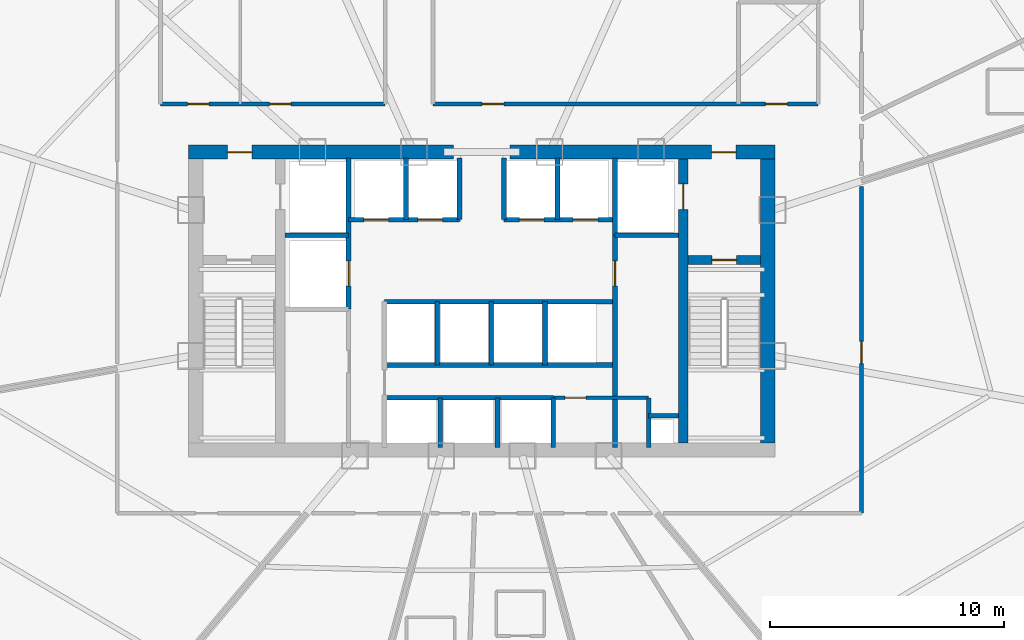
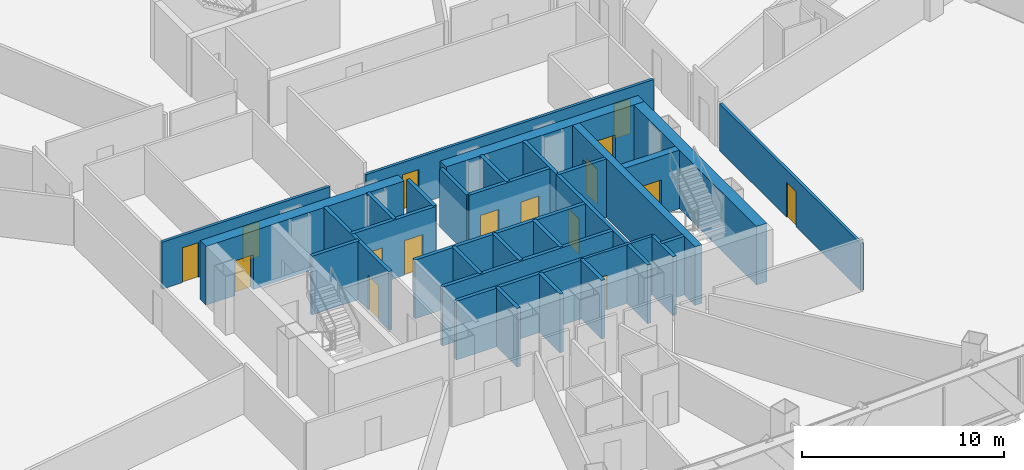
# One storey, part 31 of 38: 31 walls, 16 doors, 16 openings.
"""IFC4 building model written with IfcOpenShell, lengths in metres."""

from ifc_helpers import new_model, si_unit, direction, frame, frame_2d, origin, origin_with_axes, place, context, subcontext, project, spatial, rectangle, extrude, source, transform, mapped, material, layer, layer_set, type_object, element, fill, save


model = new_model("IFC4")

# Units and contexts
model_context = context("Model", 3, precision=1e-05, world=origin(), true_north=direction((0.0, 1.0)))
body_context = subcontext(model_context, "Body", "Model", "MODEL_VIEW")
ifc_project = project(units=[si_unit("LENGTHUNIT", "METRE"), si_unit("AREAUNIT", "SQUARE_METRE"), si_unit("VOLUMEUNIT", "CUBIC_METRE"), si_unit("PLANEANGLEUNIT", "RADIAN"), si_unit("MASSUNIT", "GRAM", prefix="KILO"), si_unit("THERMODYNAMICTEMPERATUREUNIT", "KELVIN"), si_unit("POWERUNIT", "WATT")], contexts=[model_context])

# Site, building, storey
site_placement = place(None, origin())
site = spatial("IfcSite", under=ifc_project, at=site_placement, CompositionType="ELEMENT")
building_placement = place(site_placement, origin())
building = spatial("IfcBuilding", under=site, at=building_placement, Name="Yunzhuo Pagoda Commons", CompositionType="ELEMENT")
storey_placement = place(building_placement, frame((0.0, 0.0, 81.179931640625)))
storey = spatial("IfcBuildingStorey", under=building, at=storey_placement, Name="L20", CompositionType="ELEMENT", Elevation=81.179931640625)

# Wall, opening, door
ifc_material_1 = material(Name="Concrete C60", Category="concrete")
ifc_layer_1 = layer(ifc_material_1, 0.60009765625)
ifc_layer_set_1 = layer_set([ifc_layer_1], Name="Concrete C60")
wall_type_1 = type_object("IfcWallType", Name="W-C02 Mid Core Shear Wall 600", PredefinedType="SHEAR", material=ifc_layer_set_1)
wall_1_placement = place(storey_placement, frame((35.5, 40.199951171875, 0.0), z_axis=(0.0, 0.0, 1.0), x_axis=(1.0, 0.0, 0.0)))
wall_1 = element("IfcWall", 1, at=wall_1_placement, inside=storey, type_object=wall_type_1, Name="L20 core shear wall NW", PredefinedType="SHEAR", context=body_context, shape_type="SweptSolid", body=[
    extrude(rectangle(XDim=11.300048828125, YDim=0.60009765625, at=frame_2d((5.64990234375, 0.0))), origin(), (0.0, 0.0, 1.0), 3.5400390625),
])
opening_1_placement = place(wall_1_placement, frame((1.64990234375, 0.0, 0.0)))
opening_1 = element("IfcOpeningElement", 2, at=opening_1_placement, cuts=wall_1, Name="Opening D-02", PredefinedType="OPENING", context=body_context, shape_type="SweptSolid", body=[
    extrude(rectangle(XDim=1.050048828125, YDim=2.10009765625, at=frame_2d((0.52490234375, 1.050048828125))), frame((0.0, 0.31005859375, 0.0), z_axis=(0.0, -1.0, 0.0), x_axis=(1.0, 0.0, 0.0)), (0.0, 0.0, 1.0), 0.6201171875),
])
ifc_material_2 = material(Name="Galvanized fire-resisting metal leaf")
door_type_1 = type_object("IfcDoorType", Name="D-02 Firefighting Lobby & Refuge Fire Door 1050x2100", OperationType="NOTDEFINED", PredefinedType="DOOR", material=ifc_material_2)
shared_shape_1 = source(origin(), body_context, "Body", "SweptSolid", [
    extrude(rectangle(XDim=1.050048828125, YDim=2.10009765625, at=frame_2d((0.52490234375, 1.050048828125))), frame((0.0, 0.02490234375, 0.0), z_axis=(0.0, -1.0, 0.0), x_axis=(1.0, 0.0, 0.0)), (0.0, 0.0, 1.0), 0.050048828125),
])
door_1_placement = place(opening_1_placement, frame((1.050048828125, 0.0, 0.0), z_axis=(0.0, 0.0, 1.0), x_axis=(-1.0, 0.0, 0.0)))
door_1 = element("IfcDoor", 3, at=door_1_placement, inside=storey, type_object=door_type_1, Name="L20 Firefighting Lobby 1 fire door", OperationType="SINGLE_SWING_LEFT", OverallHeight=2.10009765625, OverallWidth=1.050048828125, PredefinedType="DOOR", context=body_context, shape_type="MappedRepresentation", body=[
    mapped(shared_shape_1, transform((0.0, 0.0, 0.0), scale=1.0)),
])
fill(opening_1, door_1)

wall_2_placement = place(storey_placement, frame((49.199951171875, 40.199951171875, 0.0), z_axis=(0.0, 0.0, 1.0), x_axis=(1.0, 0.0, 0.0)))
wall_2 = element("IfcWall", 4, at=wall_2_placement, inside=storey, type_object=wall_type_1, Name="L20 core shear wall NE", PredefinedType="SHEAR", context=body_context, shape_type="SweptSolid", body=[
    extrude(rectangle(XDim=11.300048828125, YDim=0.60009765625, at=frame_2d((5.64990234375, 0.0))), origin(), (0.0, 0.0, 1.0), 3.5400390625),
])
opening_2_placement = place(wall_2_placement, frame((8.60009765625, 0.0, 0.0)))
opening_2 = element("IfcOpeningElement", 5, at=opening_2_placement, cuts=wall_2, Name="Opening D-02", PredefinedType="OPENING", context=body_context, shape_type="SweptSolid", body=[
    extrude(rectangle(XDim=1.050048828125, YDim=2.10009765625, at=frame_2d((0.52490234375, 1.050048828125))), frame((0.0, 0.31005859375, 0.0), z_axis=(0.0, -1.0, 0.0), x_axis=(1.0, 0.0, 0.0)), (0.0, 0.0, 1.0), 0.6201171875),
])
door_2_placement = place(opening_2_placement, frame((1.050048828125, 0.0, 0.0), z_axis=(0.0, 0.0, 1.0), x_axis=(-1.0, 0.0, 0.0)))
door_2 = element("IfcDoor", 6, at=door_2_placement, inside=storey, type_object=door_type_1, Name="L20 Firefighting Lobby 2 fire door", OperationType="SINGLE_SWING_RIGHT", OverallHeight=2.10009765625, OverallWidth=1.050048828125, PredefinedType="DOOR", context=body_context, shape_type="MappedRepresentation", body=[
    mapped(shared_shape_1, transform((0.0, 0.0, 0.0), scale=1.0)),
])
fill(opening_2, door_2)

# Wall
wall_3_placement = place(storey_placement, frame((60.199951171875, 27.800048828125, 0.0), z_axis=(0.0, 0.0, 1.0), x_axis=(0.0, 1.0, 0.0)))
element("IfcWall", 7, at=wall_3_placement, inside=storey, type_object=wall_type_1, Name="L20 core shear wall E", PredefinedType="SHEAR", context=body_context, shape_type="SweptSolid", body=[
    extrude(rectangle(XDim=12.099853515625, YDim=0.60009765625, at=frame_2d((6.0498046875, 0.0))), origin(), (0.0, 0.0, 1.0), 3.5400390625),
])

# Wall, opening, door
ifc_material_3 = material(Name="Gypsum plasterboard on acoustic stud")
ifc_layer_2 = layer(ifc_material_3, 0.159912109375)
ifc_layer_set_2 = layer_set([ifc_layer_2], Name="Gypsum plasterboard on acoustic stud")
wall_type_2 = type_object("IfcWallType", Name="W-COR1 Tower Rated Corridor Wall 160", PredefinedType="PARTITIONING", material=ifc_layer_set_2)
wall_4_placement = place(storey_placement, frame((51.050048828125, 29.719970703125, 0.0), z_axis=(0.0, 0.0, 1.0), x_axis=(1.0, 0.0, 0.0)))
wall_4 = element("IfcWall", 8, at=wall_4_placement, inside=storey, type_object=wall_type_2, Name="L20 interior wall IW-L20-CSES", PredefinedType="PARTITIONING", context=body_context, shape_type="SweptSolid", body=[
    extrude(rectangle(XDim=4.070068359375, YDim=0.159912109375, at=frame_2d((2.03515625, 0.0))), origin(), (0.0, 0.0, 1.0), 3.5400390625),
])
opening_3_placement = place(wall_4_placement, frame((0.5, 0.0, 0.0)))
opening_3 = element("IfcOpeningElement", 9, at=opening_3_placement, cuts=wall_4, Name="Opening D-03", PredefinedType="OPENING", context=body_context, shape_type="SweptSolid", body=[
    extrude(rectangle(XDim=0.89990234375, YDim=2.10009765625, at=frame_2d((0.449951171875, 1.050048828125))), frame((0.0, 0.08984375, 0.0), z_axis=(0.0, -1.0, 0.0), x_axis=(1.0, 0.0, 0.0)), (0.0, 0.0, 1.0), 0.179931640625),
])
door_type_2 = type_object("IfcDoorType", Name="D-03 Core Service Fire Door 900x2100", OperationType="NOTDEFINED", PredefinedType="DOOR", material=ifc_material_2)
shared_shape_2 = source(origin(), body_context, "Body", "SweptSolid", [
    extrude(rectangle(XDim=0.89990234375, YDim=2.10009765625, at=frame_2d((0.449951171875, 1.050048828125))), frame((0.0, 0.02490234375, 0.0), z_axis=(0.0, -1.0, 0.0), x_axis=(1.0, 0.0, 0.0)), (0.0, 0.0, 1.0), 0.050048828125),
])
door_3_placement = place(opening_3_placement, origin_with_axes())
door_3 = element("IfcDoor", 10, at=door_3_placement, inside=storey, type_object=door_type_2, Name="L20 cleaner store door", OperationType="SINGLE_SWING_LEFT", OverallHeight=2.10009765625, OverallWidth=0.89990234375, PredefinedType="DOOR", context=body_context, shape_type="MappedRepresentation", body=[
    mapped(shared_shape_2, transform((0.0, 0.0, 0.0), scale=1.0)),
])
fill(opening_3, door_3)

# Wall, openings, doors
wall_5_placement = place(storey_placement, frame((34.300048828125, 42.25, 0.0), z_axis=(0.0, 0.0, 1.0), x_axis=(1.0, 0.0, 0.0)))
wall_5 = element("IfcWall", 11, at=wall_5_placement, inside=storey, type_object=wall_type_2, Name="L20 interior wall IW-L20-ISLWS", PredefinedType="PARTITIONING", context=body_context, shape_type="SweptSolid", body=[
    extrude(rectangle(XDim=9.579833984375, YDim=0.159912109375, at=frame_2d((4.7900390625, 0.0))), origin(), (0.0, 0.0, 1.0), 2.840087890625),
])
opening_4_placement = place(wall_5_placement, frame((1.14990234375, 0.0, 0.0)))
opening_4 = element("IfcOpeningElement", 12, at=opening_4_placement, cuts=wall_5, Name="Opening D-04", PredefinedType="OPENING", context=body_context, shape_type="SweptSolid", body=[
    extrude(rectangle(XDim=0.919921875, YDim=2.10009765625, at=frame_2d((0.4599609375, 1.050048828125))), frame((0.0, 0.08984375, 0.0), z_axis=(0.0, -1.0, 0.0), x_axis=(1.0, 0.0, 0.0)), (0.0, 0.0, 1.0), 0.179931640625),
])
opening_5_placement = place(wall_5_placement, frame((4.64990234375, 0.0, 0.0)))
opening_5 = element("IfcOpeningElement", 13, at=opening_5_placement, cuts=wall_5, Name="Opening D-04", PredefinedType="OPENING", context=body_context, shape_type="SweptSolid", body=[
    extrude(rectangle(XDim=0.919921875, YDim=2.10009765625, at=frame_2d((0.4599609375, 1.050048828125))), frame((0.0, 0.08984375, 0.0), z_axis=(0.0, -1.0, 0.0), x_axis=(1.0, 0.0, 0.0)), (0.0, 0.0, 1.0), 0.179931640625),
])
ifc_material_4 = material(Name="Powder-coated aluminium and timber acoustic leaf", Category="wood")
door_type_3 = type_object("IfcDoorType", Name="D-04 Bedroom & Study Interior Door 920x2100", OperationType="NOTDEFINED", PredefinedType="DOOR", material=ifc_material_4)
shared_shape_3 = source(origin(), body_context, "Body", "SweptSolid", [
    extrude(rectangle(XDim=0.919921875, YDim=2.10009765625, at=frame_2d((0.4599609375, 1.050048828125))), frame((0.0, 0.02490234375, 0.0), z_axis=(0.0, -1.0, 0.0), x_axis=(1.0, 0.0, 0.0)), (0.0, 0.0, 1.0), 0.050048828125),
])
door_4_placement = place(opening_4_placement, frame((0.919921875, 0.0, 0.0), z_axis=(0.0, 0.0, 1.0), x_axis=(-1.0, 0.0, 0.0)))
door_4 = element("IfcDoor", 14, at=door_4_placement, inside=storey, type_object=door_type_3, Name="L20 laundry door", OperationType="SINGLE_SWING_LEFT", OverallHeight=2.10009765625, OverallWidth=0.919921875, PredefinedType="DOOR", context=body_context, shape_type="MappedRepresentation", body=[
    mapped(shared_shape_3, transform((0.0, 0.0, 0.0), scale=1.0)),
])
fill(opening_4, door_4)
door_5_placement = place(opening_5_placement, frame((0.919921875, 0.0, 0.0), z_axis=(0.0, 0.0, 1.0), x_axis=(-1.0, 0.0, 0.0)))
door_5 = element("IfcDoor", 15, at=door_5_placement, inside=storey, type_object=door_type_3, Name="L20 study commons W door", OperationType="SINGLE_SWING_RIGHT", OverallHeight=2.10009765625, OverallWidth=0.919921875, PredefinedType="DOOR", context=body_context, shape_type="MappedRepresentation", body=[
    mapped(shared_shape_3, transform((0.0, 0.0, 0.0), scale=1.0)),
])
fill(opening_5, door_5)

wall_6_placement = place(storey_placement, frame((45.919921875, 42.25, 0.0), z_axis=(0.0, 0.0, 1.0), x_axis=(1.0, 0.0, 0.0)))
wall_6 = element("IfcWall", 16, at=wall_6_placement, inside=storey, type_object=wall_type_2, Name="L20 interior wall IW-L20-ISLES", PredefinedType="PARTITIONING", context=body_context, shape_type="SweptSolid", body=[
    extrude(rectangle(XDim=16.43017578125, YDim=0.159912109375, at=frame_2d((8.215087890625, 0.0))), origin(), (0.0, 0.0, 1.0), 2.840087890625),
])
opening_6_placement = place(wall_6_placement, frame((2.10009765625, 0.0, 0.0)))
opening_6 = element("IfcOpeningElement", 17, at=opening_6_placement, cuts=wall_6, Name="Opening D-04", PredefinedType="OPENING", context=body_context, shape_type="SweptSolid", body=[
    extrude(rectangle(XDim=0.919921875, YDim=2.10009765625, at=frame_2d((0.4599609375, 1.050048828125))), frame((0.0, 0.08984375, 0.0), z_axis=(0.0, -1.0, 0.0), x_axis=(1.0, 0.0, 0.0)), (0.0, 0.0, 1.0), 0.179931640625),
])
opening_7_placement = place(wall_6_placement, frame((14.179931640625, 0.0, 0.0)))
opening_7 = element("IfcOpeningElement", 18, at=opening_7_placement, cuts=wall_6, Name="Opening D-11", PredefinedType="OPENING", context=body_context, shape_type="SweptSolid", body=[
    extrude(rectangle(XDim=0.93994140625, YDim=2.10009765625, at=frame_2d((0.469970703125, 1.050048828125))), frame((0.0, 0.08984375, 0.0), z_axis=(0.0, -1.0, 0.0), x_axis=(1.0, 0.0, 0.0)), (0.0, 0.0, 1.0), 0.179931640625),
])
door_type_4 = type_object("IfcDoorType", Name="D-11 Accessible Washroom Fire Door 940x2100", OperationType="NOTDEFINED", PredefinedType="DOOR", material=ifc_material_2)
shared_shape_4 = source(origin(), body_context, "Body", "SweptSolid", [
    extrude(rectangle(XDim=0.93994140625, YDim=2.10009765625, at=frame_2d((0.469970703125, 1.050048828125))), frame((0.0, 0.02490234375, 0.0), z_axis=(0.0, -1.0, 0.0), x_axis=(1.0, 0.0, 0.0)), (0.0, 0.0, 1.0), 0.050048828125),
])
door_6_placement = place(opening_7_placement, frame((0.93994140625, 0.0, 0.0), z_axis=(0.0, 0.0, 1.0), x_axis=(-1.0, 0.0, 0.0)))
door_6 = element("IfcDoor", 19, at=door_6_placement, inside=storey, type_object=door_type_4, Name="L20 accessible WC door", OperationType="SINGLE_SWING_RIGHT", OverallHeight=2.10009765625, OverallWidth=0.93994140625, PredefinedType="DOOR", context=body_context, shape_type="MappedRepresentation", body=[
    mapped(shared_shape_4, transform((0.0, 0.0, 0.0), scale=1.0)),
])
fill(opening_7, door_6)
door_7_placement = place(opening_6_placement, frame((0.919921875, 0.0, 0.0), z_axis=(0.0, 0.0, 1.0), x_axis=(-1.0, 0.0, 0.0)))
door_7 = element("IfcDoor", 20, at=door_7_placement, inside=storey, type_object=door_type_3, Name="L20 reading commons door", OperationType="SINGLE_SWING_LEFT", OverallHeight=2.10009765625, OverallWidth=0.919921875, PredefinedType="DOOR", context=body_context, shape_type="MappedRepresentation", body=[
    mapped(shared_shape_3, transform((0.0, 0.0, 0.0), scale=1.0)),
])
fill(opening_6, door_7)

# Wall, opening, door
wall_7_placement = place(storey_placement, frame((64.199951171875, 38.743896484375, 0.0), z_axis=(0.0, 0.0, 1.0), x_axis=(0.0, -1.0, 0.0)))
wall_7 = element("IfcWall", 21, at=wall_7_placement, inside=storey, type_object=wall_type_2, Name="L20 interior wall IW-L20-CWL14", PredefinedType="PARTITIONING", context=body_context, shape_type="SweptSolid", body=[
    extrude(rectangle(XDim=13.94384765625, YDim=0.159912109375, at=frame_2d((6.971923828125, 0.0))), origin(), (0.0, 0.0, 1.0), 2.840087890625),
])
opening_8_placement = place(wall_7_placement, frame((6.616943359375, 0.0, 0.0)))
opening_8 = element("IfcOpeningElement", 22, at=opening_8_placement, cuts=wall_7, Name="Opening D-06", PredefinedType="OPENING", context=body_context, shape_type="SweptSolid", body=[
    extrude(rectangle(XDim=0.949951171875, YDim=2.10009765625, at=frame_2d((0.47509765625, 1.050048828125))), frame((0.0, 0.08984375, 0.0), z_axis=(0.0, -1.0, 0.0), x_axis=(1.0, 0.0, 0.0)), (0.0, 0.0, 1.0), 0.179931640625),
])
door_type_5 = type_object("IfcDoorType", Name="D-06 Co-Living Suite Entrance Fire Door 950x2100", OperationType="NOTDEFINED", PredefinedType="DOOR", material=ifc_material_2)
shared_shape_5 = source(origin(), body_context, "Body", "SweptSolid", [
    extrude(rectangle(XDim=0.949951171875, YDim=2.10009765625, at=frame_2d((0.47509765625, 1.050048828125))), frame((0.0, 0.02490234375, 0.0), z_axis=(0.0, -1.0, 0.0), x_axis=(1.0, 0.0, 0.0)), (0.0, 0.0, 1.0), 0.050048828125),
])
door_8_placement = place(opening_8_placement, origin_with_axes())
door_8 = element("IfcDoor", 23, at=door_8_placement, inside=storey, type_object=door_type_5, Name="L20 Resident Co-Living Commons Hall door", OperationType="SINGLE_SWING_LEFT", OverallHeight=2.10009765625, OverallWidth=0.949951171875, PredefinedType="DOOR", context=body_context, shape_type="MappedRepresentation", body=[
    mapped(shared_shape_5, transform((0.0, 0.0, 0.0), scale=1.0)),
])
fill(opening_8, door_8)

ifc_layer_3 = layer(ifc_material_1, 0.39990234375)
ifc_layer_set_3 = layer_set([ifc_layer_3], Name="Concrete C60")
wall_type_3 = type_object("IfcWallType", Name="W-S01 Internal Core Shear Web 400", PredefinedType="SHEAR", material=ifc_layer_set_3)
wall_8_placement = place(storey_placement, frame((56.60009765625, 27.800048828125, 0.0), z_axis=(0.0, 0.0, 1.0), x_axis=(0.0, 1.0, 0.0)))
wall_8 = element("IfcWall", 24, at=wall_8_placement, inside=storey, type_object=wall_type_3, Name="L20 core shear wall WEBE", PredefinedType="SHEAR", context=body_context, shape_type="SweptSolid", body=[
    extrude(rectangle(XDim=12.099853515625, YDim=0.39990234375, at=frame_2d((6.0498046875, 0.0))), origin(), (0.0, 0.0, 1.0), 3.5400390625),
])
opening_9_placement = place(wall_8_placement, frame((9.949951171875, 0.0, 0.0)))
opening_9 = element("IfcOpeningElement", 25, at=opening_9_placement, cuts=wall_8, Name="Opening LD-01", PredefinedType="OPENING", context=body_context, shape_type="SweptSolid", body=[
    extrude(rectangle(XDim=1.10009765625, YDim=2.10009765625, at=frame_2d((0.550048828125, 1.050048828125))), frame((0.0, 0.2099609375, 0.0), z_axis=(0.0, -1.0, 0.0), x_axis=(1.0, 0.0, 0.0)), (0.0, 0.0, 1.0), 0.419921875),
])
door_type_6 = type_object("IfcDoorType", Name="LD-01 Firefighting Lift Landing Door 1100x2100", OperationType="DOUBLE_DOOR_SLIDING", PredefinedType="DOOR", material=ifc_material_2)
shared_shape_6 = source(origin(), body_context, "Body", "SweptSolid", [
    extrude(rectangle(XDim=1.10009765625, YDim=2.10009765625, at=frame_2d((0.550048828125, 1.050048828125))), frame((0.0, 0.02490234375, 0.0), z_axis=(0.0, -1.0, 0.0), x_axis=(1.0, 0.0, 0.0)), (0.0, 0.0, 1.0), 0.050048828125),
])
door_9_placement = place(opening_9_placement, origin_with_axes())
door_9 = element("IfcDoor", 26, at=door_9_placement, inside=storey, type_object=door_type_6, Name="L20 Firefighting lift FL-2 landing door", OperationType="DOUBLE_DOOR_SLIDING", OverallHeight=2.10009765625, OverallWidth=1.10009765625, PredefinedType="DOOR", context=body_context, shape_type="MappedRepresentation", body=[
    mapped(shared_shape_6, transform((0.0, 0.0, 0.0), scale=1.0)),
])
fill(opening_9, door_9)

wall_9_placement = place(storey_placement, frame((56.800048828125, 35.60009765625, 0.0), z_axis=(0.0, 0.0, 1.0), x_axis=(1.0, 0.0, 0.0)))
wall_9 = element("IfcWall", 27, at=wall_9_placement, inside=storey, type_object=wall_type_3, Name="L20 core shear wall STE", PredefinedType="SHEAR", context=body_context, shape_type="SweptSolid", body=[
    extrude(rectangle(XDim=3.099853515625, YDim=0.39990234375, at=frame_2d((1.5498046875, 0.0))), origin(), (0.0, 0.0, 1.0), 3.5400390625),
])
opening_10_placement = place(wall_9_placement, frame((1.02001953125, 0.0, 0.0)))
opening_10 = element("IfcOpeningElement", 28, at=opening_10_placement, cuts=wall_9, Name="Opening D-01", PredefinedType="OPENING", context=body_context, shape_type="SweptSolid", body=[
    extrude(rectangle(XDim=1.050048828125, YDim=2.10009765625, at=frame_2d((0.52490234375, 1.050048828125))), frame((0.0, 0.2099609375, 0.0), z_axis=(0.0, -1.0, 0.0), x_axis=(1.0, 0.0, 0.0)), (0.0, 0.0, 1.0), 0.419921875),
])
door_type_7 = type_object("IfcDoorType", Name="D-01 Smokeproof Stair Fire Door 1050x2100", OperationType="NOTDEFINED", PredefinedType="DOOR", material=ifc_material_2)
door_10_placement = place(opening_10_placement, frame((1.050048828125, 0.0, 0.0), z_axis=(0.0, 0.0, 1.0), x_axis=(-1.0, 0.0, 0.0)))
door_10 = element("IfcDoor", 29, at=door_10_placement, inside=storey, type_object=door_type_7, Name="L20 Stair ST2 fire door", OperationType="SINGLE_SWING_RIGHT", OverallHeight=2.10009765625, OverallWidth=1.050048828125, PredefinedType="DOOR", context=body_context, shape_type="MappedRepresentation", body=[
    mapped(shared_shape_1, transform((0.0, 0.0, 0.0), scale=1.0)),
])
fill(opening_10, door_10)

ifc_material_5 = material(Name="Concrete C40", Category="concrete")
ifc_layer_4 = layer(ifc_material_5, 0.199951171875)
ifc_layer_set_4 = layer_set([ifc_layer_4], Name="Concrete C40")
wall_type_4 = type_object("IfcWallType", Name="W-SHF Shaft & Stair Enclosure Wall 200", PredefinedType="SOLIDWALL", material=ifc_layer_set_4)
wall_10_placement = place(storey_placement, frame((42.320068359375, 33.5, 0.0), z_axis=(0.0, 0.0, 1.0), x_axis=(0.0, 1.0, 0.0)))
wall_10 = element("IfcWall", 30, at=wall_10_placement, inside=storey, type_object=wall_type_4, Name="L20 interior wall IW-L20-FL1E", PredefinedType="SOLIDWALL", context=body_context, shape_type="SweptSolid", body=[
    extrude(rectangle(XDim=6.449951171875, YDim=0.199951171875, at=frame_2d((3.22509765625, 0.0))), origin(), (0.0, 0.0, 1.0), 3.5400390625),
])
opening_11_placement = place(wall_10_placement, frame((1.0, 0.0, 0.0)))
opening_11 = element("IfcOpeningElement", 31, at=opening_11_placement, cuts=wall_10, Name="Opening LD-02", PredefinedType="OPENING", context=body_context, shape_type="SweptSolid", body=[
    extrude(rectangle(XDim=1.050048828125, YDim=2.10009765625, at=frame_2d((0.52490234375, 1.050048828125))), frame((0.0, 0.10986328125, 0.0), z_axis=(0.0, -1.0, 0.0), x_axis=(1.0, 0.0, 0.0)), (0.0, 0.0, 1.0), 0.219970703125),
])
door_type_8 = type_object("IfcDoorType", Name="LD-02 Passenger Lift Landing Door 1050x2100", OperationType="DOUBLE_DOOR_SLIDING", PredefinedType="DOOR", material=ifc_material_2)
door_11_placement = place(opening_11_placement, origin_with_axes())
door_11 = element("IfcDoor", 32, at=door_11_placement, inside=storey, type_object=door_type_8, Name="L20 Service lift SL-1 landing door", OperationType="DOUBLE_DOOR_SLIDING", OverallHeight=2.10009765625, OverallWidth=1.050048828125, PredefinedType="DOOR", context=body_context, shape_type="MappedRepresentation", body=[
    mapped(shared_shape_1, transform((0.0, 0.0, 0.0), scale=1.0)),
])
fill(opening_11, door_11)

# Walls
wall_11_placement = place(storey_placement, frame((39.60009765625, 36.64990234375, 0.0), z_axis=(0.0, 0.0, 1.0), x_axis=(1.0, 0.0, 0.0)))
element("IfcWall", 33, at=wall_11_placement, inside=storey, type_object=wall_type_4, Name="L20 interior wall IW-L20-FL1S", PredefinedType="SOLIDWALL", context=body_context, shape_type="SweptSolid", body=[
    extrude(rectangle(XDim=2.719970703125, YDim=0.199951171875, at=frame_2d((1.35986328125, 0.0))), origin(), (0.0, 0.0, 1.0), 3.5400390625),
])
wall_12_placement = place(storey_placement, frame((53.679931640625, 36.64990234375, 0.0), z_axis=(0.0, 0.0, 1.0), x_axis=(0.0, 1.0, 0.0)))
element("IfcWall", 34, at=wall_12_placement, inside=storey, type_object=wall_type_4, Name="L20 interior wall IW-L20-FL2W", PredefinedType="SOLIDWALL", context=body_context, shape_type="SweptSolid", body=[
    extrude(rectangle(XDim=3.300048828125, YDim=0.199951171875, at=frame_2d((1.64990234375, 0.0))), origin(), (0.0, 0.0, 1.0), 3.5400390625),
])
wall_13_placement = place(storey_placement, frame((53.679931640625, 36.64990234375, 0.0), z_axis=(0.0, 0.0, 1.0), x_axis=(1.0, 0.0, 0.0)))
element("IfcWall", 35, at=wall_13_placement, inside=storey, type_object=wall_type_4, Name="L20 interior wall IW-L20-FL2S", PredefinedType="SOLIDWALL", context=body_context, shape_type="SweptSolid", body=[
    extrude(rectangle(XDim=2.719970703125, YDim=0.199951171875, at=frame_2d((1.35986328125, 0.0))), origin(), (0.0, 0.0, 1.0), 3.5400390625),
])

# Wall, openings, doors
wall_14_placement = place(storey_placement, frame((42.320068359375, 37.320068359375, 0.0), z_axis=(0.0, 0.0, 1.0), x_axis=(1.0, 0.0, 0.0)))
wall_14 = element("IfcWall", 36, at=wall_14_placement, inside=storey, type_object=wall_type_4, Name="L20 interior wall IW-L20-LBNW", PredefinedType="SOLIDWALL", context=body_context, shape_type="SweptSolid", body=[
    extrude(rectangle(XDim=4.72998046875, YDim=0.199951171875, at=frame_2d((2.364990234375, 0.0))), origin(), (0.0, 0.0, 1.0), 3.5400390625),
])
opening_12_placement = place(wall_14_placement, frame((0.64990234375, 0.0, 0.0)))
opening_12 = element("IfcOpeningElement", 37, at=opening_12_placement, cuts=wall_14, Name="Opening LD-02", PredefinedType="OPENING", context=body_context, shape_type="SweptSolid", body=[
    extrude(rectangle(XDim=1.050048828125, YDim=2.10009765625, at=frame_2d((0.52490234375, 1.050048828125))), frame((0.0, 0.10986328125, 0.0), z_axis=(0.0, -1.0, 0.0), x_axis=(1.0, 0.0, 0.0)), (0.0, 0.0, 1.0), 0.219970703125),
])
opening_13_placement = place(wall_14_placement, frame((2.949951171875, 0.0, 0.0)))
opening_13 = element("IfcOpeningElement", 38, at=opening_13_placement, cuts=wall_14, Name="Opening LD-02", PredefinedType="OPENING", context=body_context, shape_type="SweptSolid", body=[
    extrude(rectangle(XDim=1.050048828125, YDim=2.10009765625, at=frame_2d((0.52490234375, 1.050048828125))), frame((0.0, 0.10986328125, 0.0), z_axis=(0.0, -1.0, 0.0), x_axis=(1.0, 0.0, 0.0)), (0.0, 0.0, 1.0), 0.219970703125),
])
door_12_placement = place(opening_12_placement, frame((1.050048828125, 0.0, 0.0), z_axis=(0.0, 0.0, 1.0), x_axis=(-1.0, 0.0, 0.0)))
door_12 = element("IfcDoor", 39, at=door_12_placement, inside=storey, type_object=door_type_8, Name="L20 Passenger lift PL-L1 landing door", OperationType="DOUBLE_DOOR_SLIDING", OverallHeight=2.10009765625, OverallWidth=1.050048828125, PredefinedType="DOOR", context=body_context, shape_type="MappedRepresentation", body=[
    mapped(shared_shape_1, transform((0.0, 0.0, 0.0), scale=1.0)),
])
fill(opening_12, door_12)
door_13_placement = place(opening_13_placement, frame((1.050048828125, 0.0, 0.0), z_axis=(0.0, 0.0, 1.0), x_axis=(-1.0, 0.0, 0.0)))
door_13 = element("IfcDoor", 40, at=door_13_placement, inside=storey, type_object=door_type_8, Name="L20 Passenger lift PL-L2 landing door", OperationType="DOUBLE_DOOR_SLIDING", OverallHeight=2.10009765625, OverallWidth=1.050048828125, PredefinedType="DOOR", context=body_context, shape_type="MappedRepresentation", body=[
    mapped(shared_shape_1, transform((0.0, 0.0, 0.0), scale=1.0)),
])
fill(opening_13, door_13)

wall_15_placement = place(storey_placement, frame((48.949951171875, 37.320068359375, 0.0), z_axis=(0.0, 0.0, 1.0), x_axis=(1.0, 0.0, 0.0)))
wall_15 = element("IfcWall", 41, at=wall_15_placement, inside=storey, type_object=wall_type_4, Name="L20 interior wall IW-L20-LBNE", PredefinedType="SOLIDWALL", context=body_context, shape_type="SweptSolid", body=[
    extrude(rectangle(XDim=4.72998046875, YDim=0.199951171875, at=frame_2d((2.364990234375, 0.0))), origin(), (0.0, 0.0, 1.0), 3.5400390625),
])
opening_14_placement = place(wall_15_placement, frame((0.64990234375, 0.0, 0.0)))
opening_14 = element("IfcOpeningElement", 42, at=opening_14_placement, cuts=wall_15, Name="Opening LD-02", PredefinedType="OPENING", context=body_context, shape_type="SweptSolid", body=[
    extrude(rectangle(XDim=1.050048828125, YDim=2.10009765625, at=frame_2d((0.52490234375, 1.050048828125))), frame((0.0, 0.10986328125, 0.0), z_axis=(0.0, -1.0, 0.0), x_axis=(1.0, 0.0, 0.0)), (0.0, 0.0, 1.0), 0.219970703125),
])
opening_15_placement = place(wall_15_placement, frame((2.949951171875, 0.0, 0.0)))
opening_15 = element("IfcOpeningElement", 43, at=opening_15_placement, cuts=wall_15, Name="Opening LD-02", PredefinedType="OPENING", context=body_context, shape_type="SweptSolid", body=[
    extrude(rectangle(XDim=1.050048828125, YDim=2.10009765625, at=frame_2d((0.52490234375, 1.050048828125))), frame((0.0, 0.10986328125, 0.0), z_axis=(0.0, -1.0, 0.0), x_axis=(1.0, 0.0, 0.0)), (0.0, 0.0, 1.0), 0.219970703125),
])
door_14_placement = place(opening_14_placement, frame((1.050048828125, 0.0, 0.0), z_axis=(0.0, 0.0, 1.0), x_axis=(-1.0, 0.0, 0.0)))
door_14 = element("IfcDoor", 44, at=door_14_placement, inside=storey, type_object=door_type_8, Name="L20 Passenger lift PL-L3 landing door", OperationType="DOUBLE_DOOR_SLIDING", OverallHeight=2.10009765625, OverallWidth=1.050048828125, PredefinedType="DOOR", context=body_context, shape_type="MappedRepresentation", body=[
    mapped(shared_shape_1, transform((0.0, 0.0, 0.0), scale=1.0)),
])
fill(opening_14, door_14)
door_15_placement = place(opening_15_placement, frame((1.050048828125, 0.0, 0.0), z_axis=(0.0, 0.0, 1.0), x_axis=(-1.0, 0.0, 0.0)))
door_15 = element("IfcDoor", 45, at=door_15_placement, inside=storey, type_object=door_type_8, Name="L20 Passenger lift PL-L4 landing door", OperationType="DOUBLE_DOOR_SLIDING", OverallHeight=2.10009765625, OverallWidth=1.050048828125, PredefinedType="DOOR", context=body_context, shape_type="MappedRepresentation", body=[
    mapped(shared_shape_1, transform((0.0, 0.0, 0.0), scale=1.0)),
])
fill(opening_15, door_15)

# Walls
for number, where, z_axis, x_axis, name in (
    (46, (47.050048828125, 37.320068359375, 0.0), (0.0, 0.0, 1.0), (0.0, 1.0, 0.0), "L20 interior wall IW-L20-THRW"),
    (47, (48.949951171875, 37.320068359375, 0.0), (0.0, 0.0, 1.0), (0.0, 1.0, 0.0), "L20 interior wall IW-L20-THRE"),
    (48, (44.77001953125, 37.320068359375, 0.0), (0.0, 0.0, 1.0), (0.0, 1.0, 0.0), "L20 interior wall IW-L20-PLL12"),
    (49, (51.22998046875, 37.320068359375, 0.0), (0.0, 0.0, 1.0), (0.0, 1.0, 0.0), "L20 interior wall IW-L20-PLL34"),
):
    element("IfcWall", number, at=place(storey_placement, frame(where, z_axis=z_axis, x_axis=x_axis)), inside=storey, type_object=wall_type_4, Name=name, PredefinedType="SOLIDWALL", context=body_context, shape_type="SweptSolid", body=[
        extrude(rectangle(XDim=2.6298828125, YDim=0.199951171875, at=frame_2d((1.31494140625, 0.0))), origin(), (0.0, 0.0, 1.0), 3.5400390625),
    ])
wall_16_placement = place(storey_placement, frame((43.85009765625, 33.820068359375, 0.0), z_axis=(0.0, 0.0, 1.0), x_axis=(1.0, 0.0, 0.0)))
element("IfcWall", 50, at=wall_16_placement, inside=storey, type_object=wall_type_4, Name="L20 interior wall IW-L20-MLBS", PredefinedType="SOLIDWALL", context=body_context, shape_type="SweptSolid", body=[
    extrude(rectangle(XDim=9.829833984375, YDim=0.199951171875, at=frame_2d((4.9150390625, 0.0))), origin(), (0.0, 0.0, 1.0), 3.5400390625),
])

# Wall, opening, door
wall_17_placement = place(storey_placement, frame((53.679931640625, 27.60009765625, 0.0), z_axis=(0.0, 0.0, 1.0), x_axis=(0.0, 1.0, 0.0)))
wall_17 = element("IfcWall", 51, at=wall_17_placement, inside=storey, type_object=wall_type_4, Name="L20 interior wall IW-L20-PLME", PredefinedType="SOLIDWALL", context=body_context, shape_type="SweptSolid", body=[
    extrude(rectangle(XDim=9.0498046875, YDim=0.199951171875, at=frame_2d((4.52490234375, 0.0))), origin(), (0.0, 0.0, 1.0), 3.5400390625),
])
opening_16_placement = place(wall_17_placement, frame((6.89990234375, 0.0, 0.0)))
opening_16 = element("IfcOpeningElement", 52, at=opening_16_placement, cuts=wall_17, Name="Opening D-02", PredefinedType="OPENING", context=body_context, shape_type="SweptSolid", body=[
    extrude(rectangle(XDim=1.050048828125, YDim=2.10009765625, at=frame_2d((0.52490234375, 1.050048828125))), frame((0.0, 0.10986328125, 0.0), z_axis=(0.0, -1.0, 0.0), x_axis=(1.0, 0.0, 0.0)), (0.0, 0.0, 1.0), 0.219970703125),
])
door_16_placement = place(opening_16_placement, origin_with_axes())
door_16 = element("IfcDoor", 53, at=door_16_placement, inside=storey, type_object=door_type_1, Name="L20 High-bank lift hall door", OperationType="SINGLE_SWING_RIGHT", OverallHeight=2.10009765625, OverallWidth=1.050048828125, PredefinedType="DOOR", context=body_context, shape_type="MappedRepresentation", body=[
    mapped(shared_shape_1, transform((0.0, 0.0, 0.0), scale=1.0)),
])
fill(opening_16, door_16)

# Walls
for number, where, z_axis, x_axis, name in (
    (54, (46.10009765625, 31.1201171875, 0.0), (0.0, 0.0, 1.0), (0.0, 1.0, 0.0), "L20 interior wall IW-L20-PLMD1"),
    (55, (48.39990234375, 31.1201171875, 0.0), (0.0, 0.0, 1.0), (0.0, 1.0, 0.0), "L20 interior wall IW-L20-PLMD2"),
    (56, (50.699951171875, 31.1201171875, 0.0), (0.0, 0.0, 1.0), (0.0, 1.0, 0.0), "L20 interior wall IW-L20-PLMD3"),
):
    element("IfcWall", number, at=place(storey_placement, frame(where, z_axis=z_axis, x_axis=x_axis)), inside=storey, type_object=wall_type_4, Name=name, PredefinedType="SOLIDWALL", context=body_context, shape_type="SweptSolid", body=[
        extrude(rectangle(XDim=2.699951171875, YDim=0.199951171875, at=frame_2d((1.35009765625, 0.0))), origin(), (0.0, 0.0, 1.0), 3.5400390625),
    ])
wall_18_placement = place(storey_placement, frame((43.85009765625, 29.719970703125, 0.0), z_axis=(0.0, 0.0, 1.0), x_axis=(1.0, 0.0, 0.0)))
element("IfcWall", 57, at=wall_18_placement, inside=storey, type_object=wall_type_4, Name="L20 interior wall IW-L20-PLHN", PredefinedType="SOLIDWALL", context=body_context, shape_type="SweptSolid", body=[
    extrude(rectangle(XDim=7.199951171875, YDim=0.199951171875, at=frame_2d((3.60009765625, 0.0))), origin(), (0.0, 0.0, 1.0), 3.5400390625),
])
wall_19_placement = place(storey_placement, frame((51.050048828125, 27.60009765625, 0.0), z_axis=(0.0, 0.0, 1.0), x_axis=(0.0, 1.0, 0.0)))
element("IfcWall", 58, at=wall_19_placement, inside=storey, type_object=wall_type_4, Name="L20 interior wall IW-L20-PLHE", PredefinedType="SOLIDWALL", context=body_context, shape_type="SweptSolid", body=[
    extrude(rectangle(XDim=2.119873046875, YDim=0.199951171875, at=frame_2d((1.06005859375, 0.0))), origin(), (0.0, 0.0, 1.0), 3.5400390625),
])
wall_20_placement = place(storey_placement, frame((43.85009765625, 31.1201171875, 0.0), z_axis=(0.0, 0.0, 1.0), x_axis=(1.0, 0.0, 0.0)))
element("IfcWall", 59, at=wall_20_placement, inside=storey, type_object=wall_type_4, Name="L20 interior wall IW-L20-PLMS2", PredefinedType="SOLIDWALL", context=body_context, shape_type="SweptSolid", body=[
    extrude(rectangle(XDim=9.829833984375, YDim=0.199951171875, at=frame_2d((4.9150390625, 0.0))), origin(), (0.0, 0.0, 1.0), 3.5400390625),
])
for number, where, z_axis, x_axis, name in (
    (60, (46.22509765625, 27.60009765625, 0.0), (0.0, 0.0, 1.0), (0.0, 1.0, 0.0), "L20 interior wall IW-L20-PLHD1"),
    (61, (48.675048828125, 27.60009765625, 0.0), (0.0, 0.0, 1.0), (0.0, 1.0, 0.0), "L20 interior wall IW-L20-PLHD2"),
    (62, (55.1201171875, 27.60009765625, 0.0), (0.0, 0.0, 1.0), (0.0, 1.0, 0.0), "L20 interior wall IW-L20-RSHFW"),
):
    element("IfcWall", number, at=place(storey_placement, frame(where, z_axis=z_axis, x_axis=x_axis)), inside=storey, type_object=wall_type_4, Name=name, PredefinedType="SOLIDWALL", context=body_context, shape_type="SweptSolid", body=[
        extrude(rectangle(XDim=2.119873046875, YDim=0.199951171875, at=frame_2d((1.06005859375, 0.0))), origin(), (0.0, 0.0, 1.0), 3.5400390625),
    ])
wall_21_placement = place(storey_placement, frame((55.1201171875, 28.949951171875, 0.0), z_axis=(0.0, 0.0, 1.0), x_axis=(1.0, 0.0, 0.0)))
element("IfcWall", 63, at=wall_21_placement, inside=storey, type_object=wall_type_4, Name="L20 interior wall IW-L20-RSHFN", PredefinedType="SOLIDWALL", context=body_context, shape_type="SweptSolid", body=[
    extrude(rectangle(XDim=1.27978515625, YDim=0.199951171875, at=frame_2d((0.639892578125, 0.0))), origin(), (0.0, 0.0, 1.0), 3.5400390625),
])

save(model, "model.ifc")
